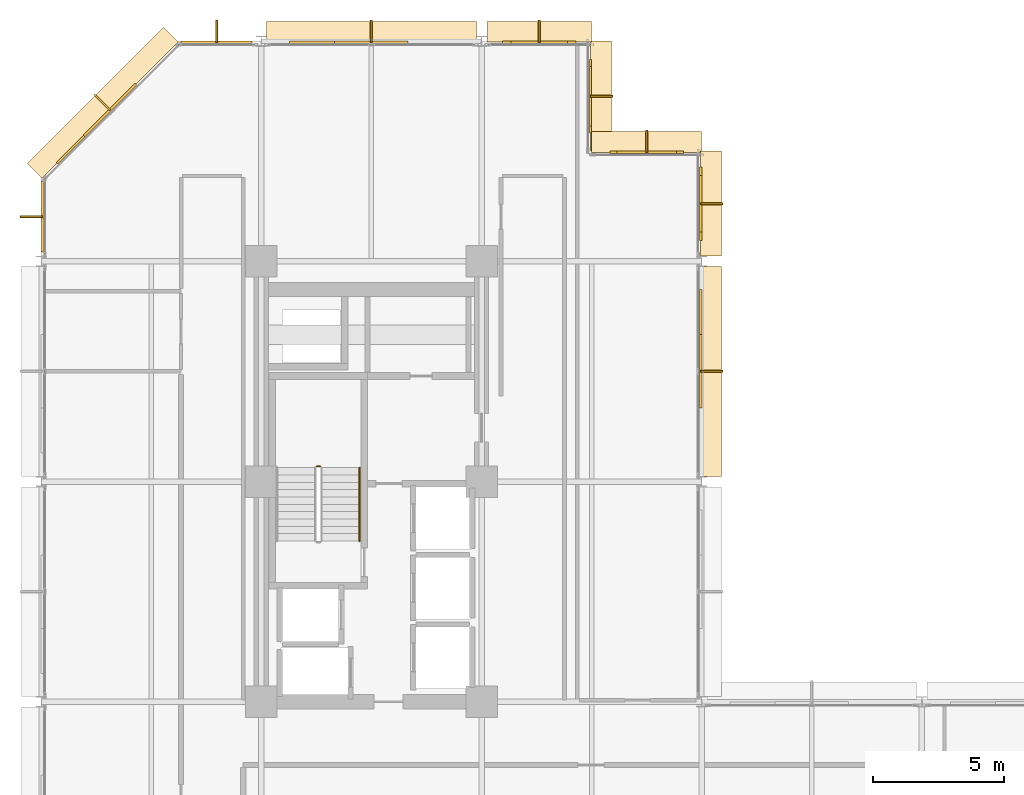
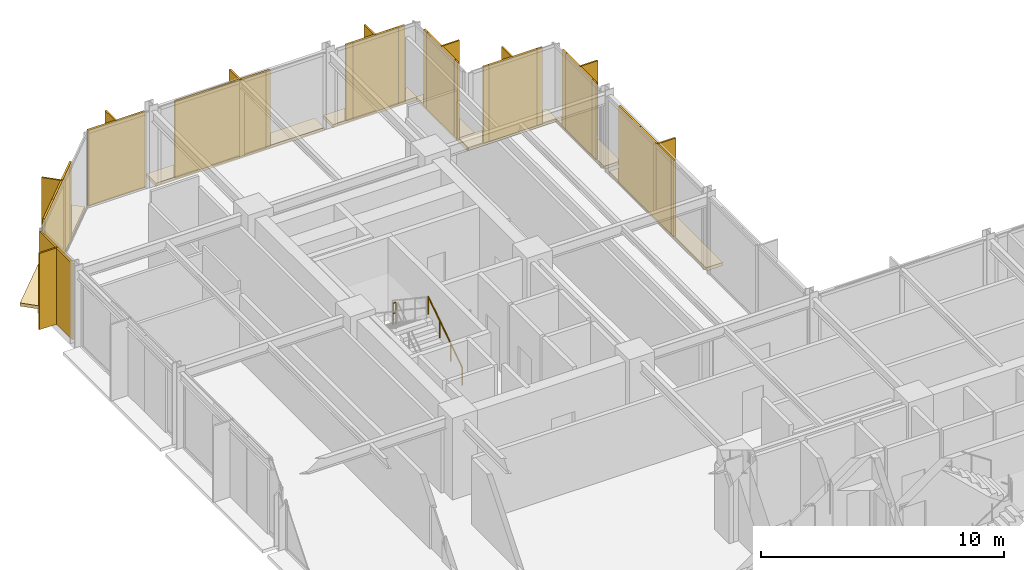
# One storey, part 25 of 25: 18 shading devices, 14 coverings, 2 railings.
"""IFC4 building model written with IfcOpenShell, lengths in metres."""

from ifc_helpers import new_model, si_unit, direction, frame, origin, origin_2d, place, context, subcontext, project, spatial, polyline, rectangle, circle, outline, extrude, material, layer, layer_set, type_object, element, save


model = new_model("IFC4")

# Units and contexts
model_context = context("Model", 3, precision=1e-05, world=origin(), true_north=direction((0.0, 1.0)))
body_context = subcontext(model_context, "Body", "Model", "MODEL_VIEW")
ifc_project = project(units=[si_unit("LENGTHUNIT", "METRE"), si_unit("AREAUNIT", "SQUARE_METRE"), si_unit("VOLUMEUNIT", "CUBIC_METRE"), si_unit("PLANEANGLEUNIT", "RADIAN"), si_unit("MASSUNIT", "GRAM", prefix="KILO")], contexts=[model_context])

# Site, building, storey
site_placement = place(None, origin())
site = spatial("IfcSite", under=ifc_project, at=site_placement, CompositionType="ELEMENT")
building_placement = place(site_placement, origin())
building = spatial("IfcBuilding", under=site, at=building_placement, Name="Nerrivon Quay Data Exchange", CompositionType="ELEMENT")
storey_placement = place(building_placement, frame((0.0, 0.0, 113.10009765625)))
storey = spatial("IfcBuildingStorey", under=building, at=storey_placement, Name="L26", CompositionType="ELEMENT", Elevation=113.10009765625)

# Coverings
ifc_material_1 = material(Name="Architectural terracotta ceramic", Category="masonry")
ifc_layer_1 = layer(ifc_material_1, 0.159912109375)
ifc_layer_set_1 = layer_set([ifc_layer_1], Name="Architectural terracotta ceramic")
covering_type_1 = type_object("IfcCoveringType", Name="COV-BLD-TERR", PredefinedType="CLADDING", material=ifc_layer_set_1)
covering_1_placement = place(storey_placement, frame((0.0, 0.0, -0.16015625)))
element("IfcCovering", 1, at=covering_1_placement, inside=storey, type_object=covering_type_1, Name="L26 Horizontal Terracotta SOLAR SCREEN Blade", PredefinedType="CLADDING", context=body_context, shape_type="SweptSolid", body=[
    extrude(outline(polyline([(0.0283203125, 45.171630859375), (5.228271484375, 50.37158203125), (4.669677734375, 50.930419921875), (-0.5302734375, 45.730224609375), (0.0283203125, 45.171630859375)])), origin(), (0.0, 0.0, 1.0), 0.16015625),
])
covering_2_placement = place(storey_placement, frame((0.0, 0.0, -0.16015625)))
element("IfcCovering", 2, at=covering_2_placement, inside=storey, type_object=covering_type_1, Name="L26 Horizontal Terracotta SOLAR SCREEN Blade", PredefinedType="CLADDING", context=body_context, shape_type="SweptSolid", body=[
    extrude(outline(polyline([(8.60009765625, 50.360107421875), (16.60009765625, 50.360107421875), (16.60009765625, 51.14990234375), (8.60009765625, 51.14990234375), (8.60009765625, 50.360107421875)])), origin(), (0.0, 0.0, 1.0), 0.16015625),
])
covering_3_placement = place(storey_placement, frame((0.0, 0.0, -0.16015625)))
element("IfcCovering", 3, at=covering_3_placement, inside=storey, type_object=covering_type_1, Name="L26 Horizontal Terracotta SOLAR SCREEN Blade", PredefinedType="CLADDING", context=body_context, shape_type="SweptSolid", body=[
    extrude(outline(polyline([(17.0, 50.360107421875), (21.0, 50.360107421875), (21.0, 51.14990234375), (17.0, 51.14990234375), (17.0, 50.360107421875)])), origin(), (0.0, 0.0, 1.0), 0.16015625),
])
covering_4_placement = place(storey_placement, frame((0.0, 0.0, -0.16015625)))
element("IfcCovering", 4, at=covering_4_placement, inside=storey, type_object=covering_type_1, Name="L26 Horizontal Terracotta SOLAR SCREEN Blade", PredefinedType="CLADDING", context=body_context, shape_type="SweptSolid", body=[
    extrude(outline(polyline([(20.9599609375, 50.39990234375), (20.9599609375, 46.199951171875), (21.75, 46.199951171875), (21.75, 50.39990234375), (20.9599609375, 50.39990234375)])), origin(), (0.0, 0.0, 1.0), 0.16015625),
])
covering_5_placement = place(storey_placement, frame((0.0, 0.0, -0.16015625)))
element("IfcCovering", 5, at=covering_5_placement, inside=storey, type_object=covering_type_1, Name="L26 Horizontal Terracotta SOLAR SCREEN Blade", PredefinedType="CLADDING", context=body_context, shape_type="SweptSolid", body=[
    extrude(outline(polyline([(21.0, 46.159912109375), (25.199951171875, 46.159912109375), (25.199951171875, 46.949951171875), (21.0, 46.949951171875), (21.0, 46.159912109375)])), origin(), (0.0, 0.0, 1.0), 0.16015625),
])
covering_6_placement = place(storey_placement, frame((0.0, 0.0, -0.16015625)))
element("IfcCovering", 6, at=covering_6_placement, inside=storey, type_object=covering_type_1, Name="L26 Horizontal Terracotta SOLAR SCREEN Blade", PredefinedType="CLADDING", context=body_context, shape_type="SweptSolid", body=[
    extrude(outline(polyline([(25.159912109375, 46.199951171875), (25.159912109375, 42.199951171875), (25.949951171875, 42.199951171875), (25.949951171875, 46.199951171875), (25.159912109375, 46.199951171875)])), origin(), (0.0, 0.0, 1.0), 0.16015625),
])
covering_7_placement = place(storey_placement, frame((0.0, 0.0, -0.16015625)))
element("IfcCovering", 7, at=covering_7_placement, inside=storey, type_object=covering_type_1, Name="L26 Horizontal Terracotta SOLAR SCREEN Blade", PredefinedType="CLADDING", context=body_context, shape_type="SweptSolid", body=[
    extrude(outline(polyline([(25.159912109375, 41.800048828125), (25.159912109375, 33.800048828125), (25.949951171875, 33.800048828125), (25.949951171875, 41.800048828125), (25.159912109375, 41.800048828125)])), origin(), (0.0, 0.0, 1.0), 0.16015625),
])
ifc_layer_2 = layer(ifc_material_1, 0.090087890625)
ifc_layer_set_2 = layer_set([ifc_layer_2], Name="Architectural terracotta ceramic")
covering_type_2 = type_object("IfcCoveringType", Name="COV-SCR-TERR", PredefinedType="CLADDING", material=ifc_layer_set_2)
covering_8_placement = place(storey_placement, frame((2.0078125, 47.144287109375, 0.0), z_axis=(0.0, 0.0, 1.0), x_axis=(0.707106781187, 0.707106781187, 0.0)))
element("IfcCovering", 8, at=covering_8_placement, inside=storey, type_object=covering_type_2, Name="L26 Perforated Terracotta SOLAR SCREEN Cassette", PredefinedType="CLADDING", context=body_context, shape_type="SweptSolid", body=[
    extrude(rectangle(XDim=3.970947265625, YDim=0.090087890625, at=origin_2d()), origin(), (0.0, 0.0, 1.0), 3.824951171875),
])
covering_9_placement = place(storey_placement, frame((11.639892578125, 50.35498046875, 0.0), z_axis=(0.0, 0.0, 1.0), x_axis=(1.0, 0.0, 0.0)))
element("IfcCovering", 9, at=covering_9_placement, inside=storey, type_object=covering_type_2, Name="L26 Perforated Terracotta SOLAR SCREEN Cassette", PredefinedType="CLADDING", context=body_context, shape_type="SweptSolid", body=[
    extrude(rectangle(XDim=4.320068359375, YDim=0.090087890625, at=origin_2d()), origin(), (0.0, 0.0, 1.0), 3.824951171875),
])
covering_10_placement = place(storey_placement, frame((19.0, 50.35498046875, 0.0), z_axis=(0.0, 0.0, 1.0), x_axis=(1.0, 0.0, 0.0)))
element("IfcCovering", 10, at=covering_10_placement, inside=storey, type_object=covering_type_2, Name="L26 Perforated Terracotta SOLAR SCREEN Cassette", PredefinedType="CLADDING", context=body_context, shape_type="SweptSolid", body=[
    extrude(rectangle(XDim=2.159912109375, YDim=0.090087890625, at=origin_2d()), origin(), (0.0, 0.0, 1.0), 3.824951171875),
])
for number, where, z_axis, x_axis, name in (
    (11, (20.955078125, 48.300048828125, 0.0), (0.0, 0.0, 1.0), (0.0, -1.0, 0.0), "L26 Perforated Terracotta SOLAR SCREEN Cassette"),
    (12, (23.10009765625, 46.155029296875, 0.0), (0.0, 0.0, 1.0), (1.0, 0.0, 0.0), "L26 Perforated Terracotta SOLAR SCREEN Cassette"),
):
    element("IfcCovering", number, at=place(storey_placement, frame(where, z_axis=z_axis, x_axis=x_axis)), inside=storey, type_object=covering_type_2, Name=name, PredefinedType="CLADDING", context=body_context, shape_type="SweptSolid", body=[
        extrude(rectangle(XDim=2.26806640625, YDim=0.090087890625, at=origin_2d()), origin(), (0.0, 0.0, 1.0), 3.824951171875),
    ])
covering_11_placement = place(storey_placement, frame((25.155029296875, 44.199951171875, 0.0), z_axis=(0.0, 0.0, 1.0), x_axis=(0.0, -1.0, 0.0)))
element("IfcCovering", 13, at=covering_11_placement, inside=storey, type_object=covering_type_2, Name="L26 Perforated Terracotta SOLAR SCREEN Cassette", PredefinedType="CLADDING", context=body_context, shape_type="SweptSolid", body=[
    extrude(rectangle(XDim=2.159912109375, YDim=0.090087890625, at=origin_2d()), origin(), (0.0, 0.0, 1.0), 3.824951171875),
])
covering_12_placement = place(storey_placement, frame((25.155029296875, 38.760009765625, 0.0), z_axis=(0.0, 0.0, 1.0), x_axis=(0.0, -1.0, 0.0)))
element("IfcCovering", 14, at=covering_12_placement, inside=storey, type_object=covering_type_2, Name="L26 Perforated Terracotta SOLAR SCREEN Cassette", PredefinedType="CLADDING", context=body_context, shape_type="SweptSolid", body=[
    extrude(rectangle(XDim=4.320068359375, YDim=0.090087890625, at=origin_2d()), origin(), (0.0, 0.0, 1.0), 3.824951171875),
])

# Railings
ifc_material_2 = material(Name="Steel Grade C350L0 (350 MPa)", Category="steel")
railing_type_1 = type_object("IfcRailingType", Name="RAIL-HAND-HR1", PredefinedType="HANDRAIL", material=ifc_material_2)
railing_1_placement = place(storey_placement, frame((12.14990234375, 31.330078125, 0.186279296875)))
element("IfcRailing", 15, at=railing_1_placement, inside=storey, type_object=railing_type_1, Name="L26 ST01 stair handrail 1", PredefinedType="HANDRAIL", context=body_context, shape_type="SweptSolid", body=[
    extrude(circle(Radius=0.02392578125, at=origin_2d()), frame((0.0, 0.0, 0.8759765625), z_axis=(0.0, 0.832463268671, 0.554080234545), x_axis=(-1.0, 0.0, 0.0)), (0.0, 0.0, 1.0), 3.36328125),
    extrude(circle(Radius=0.02099609375, at=origin_2d()), origin(), (0.0, 0.0, 1.0), 0.851806640625),
    extrude(circle(Radius=0.02099609375, at=origin_2d()), frame((0.0, 0.933349609375, 0.62109375)), (0.0, 0.0, 1.0), 0.851806640625),
    extrude(circle(Radius=0.02099609375, at=origin_2d()), frame((0.0, 1.866455078125, 1.242431640625)), (0.0, 0.0, 1.0), 0.851806640625),
    extrude(circle(Radius=0.02099609375, at=origin_2d()), frame((0.0, 2.7998046875, 1.863525390625)), (0.0, 0.0, 1.0), 0.851806640625),
])
railing_type_2 = type_object("IfcRailingType", Name="RAIL-STAIR-GR1", PredefinedType="BALUSTRADE", material=ifc_material_2)
railing_2_placement = place(storey_placement, frame((10.64990234375, 34.179931640625, 2.0498046875)))
element("IfcRailing", 16, at=railing_2_placement, inside=storey, type_object=railing_type_2, Name="L26 ST01 stair guard 2", PredefinedType="BALUSTRADE", context=body_context, shape_type="SweptSolid", body=[
    extrude(circle(Radius=0.02392578125, at=origin_2d()), frame((0.0, 0.0, 1.076171875), z_axis=(-1.0, 0.0, 0.0), x_axis=(0.0, -1.0, 0.0)), (0.0, 0.0, 1.0), 0.14990234375),
    extrude(circle(Radius=0.02392578125, at=origin_2d()), frame((0.0, 0.0, 0.550048828125), z_axis=(-1.0, 0.0, 0.0), x_axis=(0.0, -1.0, 0.0)), (0.0, 0.0, 1.0), 0.14990234375),
    extrude(circle(Radius=0.02099609375, at=origin_2d()), origin(), (0.0, 0.0, 1.0), 1.052001953125),
    extrude(circle(Radius=0.02099609375, at=origin_2d()), frame((-0.14990234375, 0.0, 0.0)), (0.0, 0.0, 1.0), 1.052001953125),
])

# Shading devices
ifc_layer_3 = layer(ifc_material_1, 0.074951171875)
ifc_layer_set_3 = layer_set([ifc_layer_3], Name="Architectural terracotta ceramic")
shading_device_type_1 = type_object("IfcShadingDeviceType", Name="SHD-FIN-SS02", PredefinedType="USERDEFINED", material=ifc_layer_set_3)
for number, where, z_axis, x_axis, name in (
    (17, (-0.3798828125, 43.699951171875, 0.0), (0.0, 0.0, 1.0), (0.0, 1.0, 0.0), "L26 Subtropical Solar Fin Blade 17"),
    (18, (2.331298828125, 48.068603515625, 0.0), (0.0, 0.0, 1.0), (0.707106781187, 0.707106781187, 0.0), "L26 Subtropical Solar Fin Blade 18"),
    (19, (6.699951171875, 50.780029296875, 0.0), (0.0, 0.0, 1.0), (1.0, 0.0, 0.0), "L26 Subtropical Solar Fin Blade 19"),
    (20, (12.60009765625, 50.780029296875, 0.0), (0.0, 0.0, 1.0), (1.0, 0.0, 0.0), "L26 Subtropical Solar Fin Blade 20"),
    (21, (19.0, 50.780029296875, 0.0), (0.0, 0.0, 1.0), (1.0, 0.0, 0.0), "L26 Subtropical Solar Fin Blade 21"),
    (22, (21.3798828125, 48.300048828125, 0.0), (0.0, 0.0, 1.0), (0.0, -1.0, 0.0), "L26 Subtropical Solar Fin Blade 22"),
    (23, (23.10009765625, 46.580078125, 0.0), (0.0, 0.0, 1.0), (1.0, 0.0, 0.0), "L26 Subtropical Solar Fin Blade 23"),
    (24, (25.580078125, 44.199951171875, 0.0), (0.0, 0.0, 1.0), (0.0, -1.0, 0.0), "L26 Subtropical Solar Fin Blade 24"),
    (25, (25.580078125, 37.800048828125, 0.0), (0.0, 0.0, 1.0), (0.0, -1.0, 0.0), "L26 Subtropical Solar Fin Blade 25"),
):
    element("IfcShadingDevice", number, at=place(storey_placement, frame(where, z_axis=z_axis, x_axis=x_axis)), inside=storey, type_object=shading_device_type_1, Name=name, ObjectType="FIN", PredefinedType="USERDEFINED", context=body_context, shape_type="SweptSolid", body=[
        extrude(rectangle(XDim=0.074951171875, YDim=0.85009765625, at=origin_2d()), origin(), (0.0, 0.0, 1.0), 3.824951171875),
    ])
ifc_layer_4 = layer(ifc_material_1, 0.0849609375)
ifc_layer_set_4 = layer_set([ifc_layer_4], Name="Architectural terracotta ceramic")
shading_device_type_2 = type_object("IfcShadingDeviceType", Name="SHD-SCR-SS01", PredefinedType="USERDEFINED", material=ifc_layer_set_4)
shading_device_1_placement = place(storey_placement, frame((0.0400390625, 43.699951171875, 0.0), z_axis=(0.0, 0.0, 1.0), x_axis=(0.0, 1.0, 0.0)))
element("IfcShadingDevice", 26, at=shading_device_1_placement, inside=storey, type_object=shading_device_type_2, Name="L26 Perforated Terracotta Solar Screen 17", ObjectType="SCREEN", PredefinedType="USERDEFINED", context=body_context, shape_type="SweptSolid", body=[
    extrude(rectangle(XDim=2.699951171875, YDim=0.0849609375, at=origin_2d()), origin(), (0.0, 0.0, 1.0), 3.824951171875),
])
shading_device_2_placement = place(storey_placement, frame((2.62841796875, 47.771728515625, 0.0), z_axis=(0.0, 0.0, 1.0), x_axis=(0.707106781187, 0.707106781187, 0.0)))
element("IfcShadingDevice", 27, at=shading_device_2_placement, inside=storey, type_object=shading_device_type_2, Name="L26 Perforated Terracotta Solar Screen 18", ObjectType="SCREEN", PredefinedType="USERDEFINED", context=body_context, shape_type="SweptSolid", body=[
    extrude(rectangle(XDim=2.800048828125, YDim=0.0849609375, at=origin_2d()), origin(), (0.0, 0.0, 1.0), 3.824951171875),
])
shading_device_3_placement = place(storey_placement, frame((6.699951171875, 50.360107421875, 0.0), z_axis=(0.0, 0.0, 1.0), x_axis=(1.0, 0.0, 0.0)))
element("IfcShadingDevice", 28, at=shading_device_3_placement, inside=storey, type_object=shading_device_type_2, Name="L26 Perforated Terracotta Solar Screen 19", ObjectType="SCREEN", PredefinedType="USERDEFINED", context=body_context, shape_type="SweptSolid", body=[
    extrude(rectangle(XDim=2.699951171875, YDim=0.0849609375, at=origin_2d()), origin(), (0.0, 0.0, 1.0), 3.824951171875),
])
for number, where, z_axis, x_axis, name in (
    (29, (12.60009765625, 50.360107421875, 0.0), (0.0, 0.0, 1.0), (1.0, 0.0, 0.0), "L26 Perforated Terracotta Solar Screen 20"),
    (30, (19.0, 50.360107421875, 0.0), (0.0, 0.0, 1.0), (1.0, 0.0, 0.0), "L26 Perforated Terracotta Solar Screen 21"),
    (31, (20.9599609375, 48.300048828125, 0.0), (0.0, 0.0, 1.0), (0.0, -1.0, 0.0), "L26 Perforated Terracotta Solar Screen 22"),
    (32, (23.10009765625, 46.159912109375, 0.0), (0.0, 0.0, 1.0), (1.0, 0.0, 0.0), "L26 Perforated Terracotta Solar Screen 23"),
    (33, (25.159912109375, 44.199951171875, 0.0), (0.0, 0.0, 1.0), (0.0, -1.0, 0.0), "L26 Perforated Terracotta Solar Screen 24"),
    (34, (25.159912109375, 37.800048828125, 0.0), (0.0, 0.0, 1.0), (0.0, -1.0, 0.0), "L26 Perforated Terracotta Solar Screen 25"),
):
    element("IfcShadingDevice", number, at=place(storey_placement, frame(where, z_axis=z_axis, x_axis=x_axis)), inside=storey, type_object=shading_device_type_2, Name=name, ObjectType="SCREEN", PredefinedType="USERDEFINED", context=body_context, shape_type="SweptSolid", body=[
        extrude(rectangle(XDim=2.800048828125, YDim=0.0849609375, at=origin_2d()), origin(), (0.0, 0.0, 1.0), 3.824951171875),
    ])

save(model, "model.ifc")
